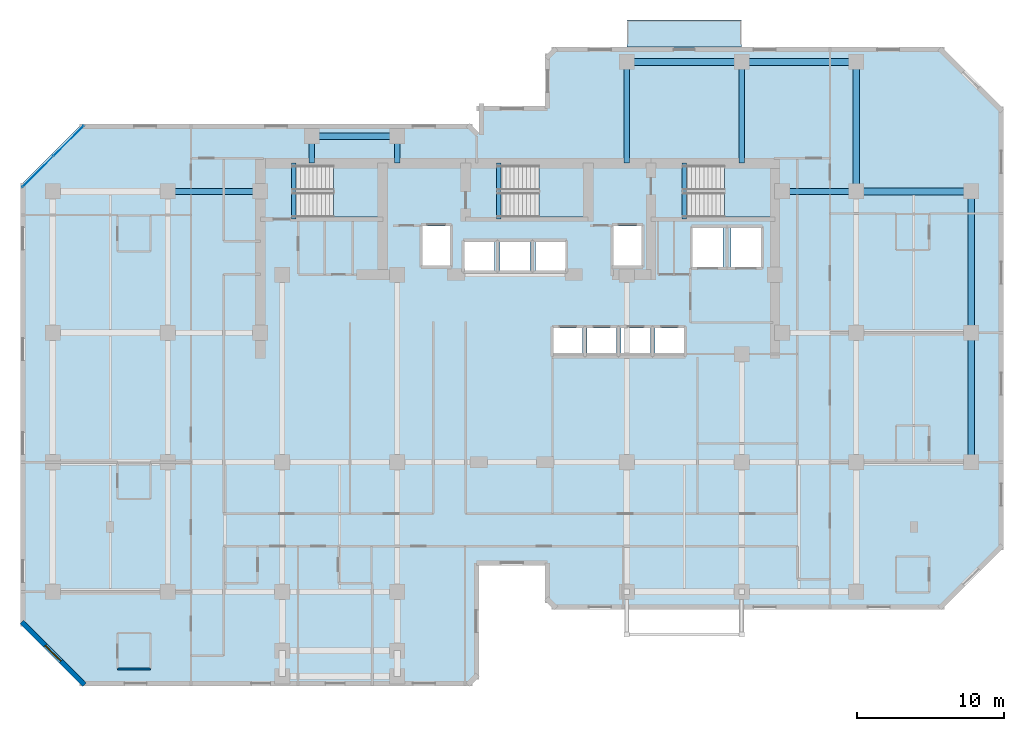
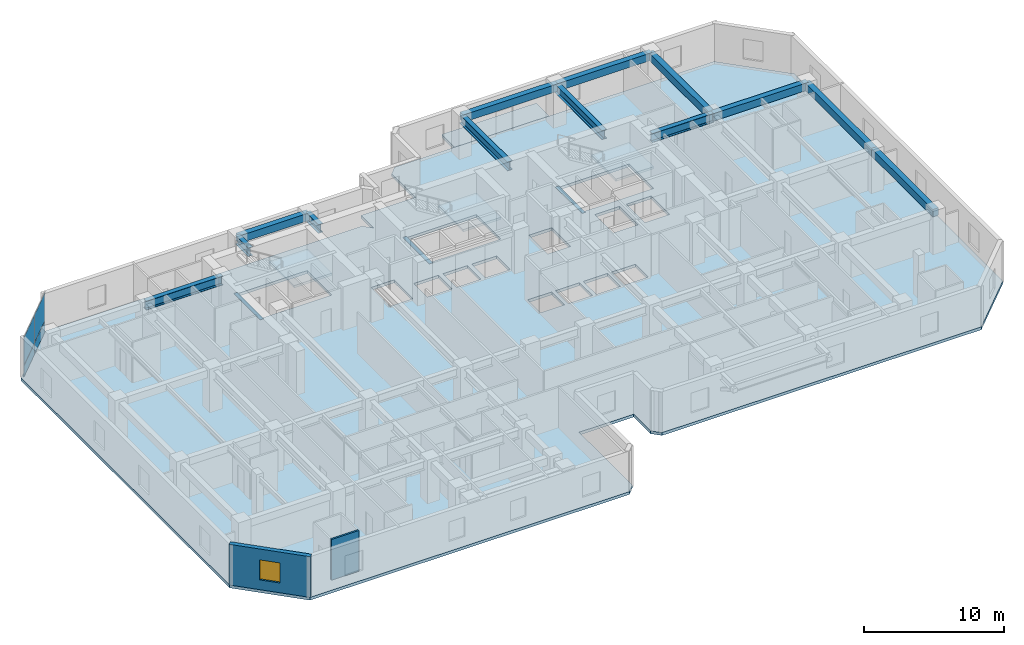
# One storey, part 4 of 10: 16 beams, 5 slabs, 4 plates, 2 walls, 1 window, 1 opening, 4 elements without a shape of their own.
"""IFC4 building model written with IfcOpenShell, lengths in metres."""

import ifcopenshell
import ifcopenshell.guid

model = None  # the IFC model being written
_history = None  # IfcOwnerHistory: only IFC2X3 demands one
_inside = {}  # id of a spatial element -> (the spatial element, [elements in it])
_under = {}  # id of a project, library or spatial element -> (it, [spatial elements below it])
_declared = {}  # id of a project -> (the project, [libraries it declares])
_typed = {}  # id of a type object -> (the type object, [elements of that type])
_made_of = {}  # id of a material, layer set ... -> (it, [elements and type objects made of it])


def new_model(schema):
    """Start an empty IFC model of exactly this schema.

    Asked for "IFC4X3", IfcOpenShell would pick the latest addendum, in which some entities
    have other attributes; the version numbers below select the first issue.
    IFC2X3 requires an IfcOwnerHistory on every rooted entity: one is made here for all.
    """
    global model, _history
    if schema == "IFC4X3":
        model = ifcopenshell.file(schema_version=(4, 3, 0, 0))
    else:
        model = ifcopenshell.file(schema=schema)
    _inside.clear()
    _under.clear()
    _declared.clear()
    _typed.clear()
    _made_of.clear()
    _history = None
    if model.schema == "IFC2X3":
        org = make("IfcOrganization", Name="unknown")
        user = make(
            "IfcPersonAndOrganization",
            ThePerson=make("IfcPerson", FamilyName="unknown"),
            TheOrganization=org,
        )
        app = make(
            "IfcApplication",
            ApplicationDeveloper=org,
            Version="unknown",
            ApplicationFullName="unknown",
            ApplicationIdentifier="unknown",
        )
        _history = make(
            "IfcOwnerHistory",
            OwningUser=user,
            OwningApplication=app,
            ChangeAction="ADDED",
            CreationDate=0,
        )
    return model


def make(cls, **values):
    """One entity of the class cls with the attributes given. An attribute that is None is left unset."""
    return model.create_entity(
        cls, **{name: value for name, value in values.items() if value is not None}
    )


def rooted(cls, **values):
    """An entity with a GlobalId (a new one), such as an element, a storey or a relation."""
    return make(cls, GlobalId=ifcopenshell.guid.new(), OwnerHistory=_history, **values)


def si_unit(unit_type, name, prefix=None):
    """IfcSIUnit, for example si_unit("LENGTHUNIT", "METRE", prefix="MILLI")."""
    return make("IfcSIUnit", UnitType=unit_type, Prefix=prefix, Name=name)


def assignment(units):
    """IfcUnitAssignment: the units of a project."""
    return None if units is None else make("IfcUnitAssignment", Units=units)


def point(xyz):
    """IfcCartesianPoint."""
    return None if xyz is None else make("IfcCartesianPoint", Coordinates=xyz)


def direction(xyz):
    """IfcDirection."""
    return None if xyz is None else make("IfcDirection", DirectionRatios=xyz)


def frame(location, z_axis=None, x_axis=None):
    """IfcAxis2Placement3D, a coordinate frame: its origin and axes. An axis left out is left unset."""
    return make(
        "IfcAxis2Placement3D",
        Location=point(location),
        Axis=direction(z_axis),
        RefDirection=direction(x_axis),
    )


def frame_2d(location, x_axis=None):
    """IfcAxis2Placement2D, a coordinate frame in the plane: its origin and x axis."""
    return make(
        "IfcAxis2Placement2D", Location=point(location), RefDirection=direction(x_axis)
    )


def origin():
    """The frame at (0, 0, 0) with its axes left unset."""
    return frame((0.0, 0.0, 0.0))


def origin_2d():
    """The frame at (0, 0) in the plane with its x axis left unset."""
    return frame_2d((0.0, 0.0))


def place(relative_to, where):
    """IfcLocalPlacement: puts the frame where relative to a parent placement (None: the world)."""
    return make(
        "IfcLocalPlacement", PlacementRelTo=relative_to, RelativePlacement=where
    )


def context(
    kind, dimensions, precision=None, world=None, true_north=None, identifier=None
):
    """IfcGeometricRepresentationContext, for example the 3D "Model" context."""
    return make(
        "IfcGeometricRepresentationContext",
        ContextIdentifier=identifier,
        ContextType=kind,
        CoordinateSpaceDimension=dimensions,
        Precision=precision,
        WorldCoordinateSystem=world,
        TrueNorth=true_north,
    )


def subcontext(parent, identifier, kind, view, scale=None):
    """IfcGeometricRepresentationSubContext, for example "Body" below "Model"."""
    return make(
        "IfcGeometricRepresentationSubContext",
        ContextIdentifier=identifier,
        ContextType=kind,
        ParentContext=parent,
        TargetScale=scale,
        TargetView=view,
    )


def project(units=None, contexts=None):
    """IfcProject with its units and contexts."""
    return rooted(
        "IfcProject",
        Name="project",
        RepresentationContexts=contexts,
        UnitsInContext=assignment(units),
    )


def spatial(cls, under=None, at=None, **own):
    """A site, building, storey or space (cls), placed at a placement, below another one or the project."""
    s = rooted(cls, ObjectPlacement=at, **own)
    if under is not None:
        _under.setdefault(under.id(), (under, []))[1].append(s)
    return s


def polyline(points):
    """IfcPolyline through the points."""
    return make("IfcPolyline", Points=[point(p) for p in points])


def profile(cls, at=None, kind="AREA", **sizes):
    """A parametric profile (cls). Its sizes go by their IFC names, for example OverallWidth=200.0."""
    return make(cls, ProfileType=kind, Position=at, **sizes)


def rectangle(**sizes):
    """IfcRectangleProfileDef."""
    return profile("IfcRectangleProfileDef", **sizes)


def i_section(**sizes):
    """IfcIShapeProfileDef."""
    return profile("IfcIShapeProfileDef", **sizes)


def outline(outer, holes=None, kind="AREA"):
    """IfcArbitraryClosedProfileDef: a profile drawn as a closed curve; with holes, ...WithVoids."""
    if holes is None:
        return make("IfcArbitraryClosedProfileDef", ProfileType=kind, OuterCurve=outer)
    return make(
        "IfcArbitraryProfileDefWithVoids",
        ProfileType=kind,
        OuterCurve=outer,
        InnerCurves=holes,
    )


def extrude(swept, where, along, depth):
    """IfcExtrudedAreaSolid: the profile swept, set in the frame where, extruded along a direction by depth."""
    return make(
        "IfcExtrudedAreaSolid",
        SweptArea=swept,
        Position=where,
        ExtrudedDirection=direction(along),
        Depth=depth,
    )


def shape(context_of_items, identifier, shape_type, items):
    """IfcShapeRepresentation: the items that make up one representation, for example the "Body"."""
    return make(
        "IfcShapeRepresentation",
        ContextOfItems=context_of_items,
        RepresentationIdentifier=identifier,
        RepresentationType=shape_type,
        Items=items,
    )


def material(Name=None, Category=None):
    """IfcMaterial."""
    return make("IfcMaterial", Name=Name, Category=Category)


def layer(
    of_material, thickness, ventilated=None, Name=None, Category=None, Priority=None
):
    """IfcMaterialLayer: one layer of a wall or slab, of a material (None: an air gap)."""
    return make(
        "IfcMaterialLayer",
        Material=of_material,
        LayerThickness=thickness,
        IsVentilated=ventilated,
        Name=Name,
        Category=Category,
        Priority=Priority,
    )


def layer_set(layers, Name=None):
    """IfcMaterialLayerSet."""
    return make("IfcMaterialLayerSet", MaterialLayers=layers, LayerSetName=Name)


def material_profile(
    of_material, cross_section, Name=None, Category=None, Priority=None
):
    """IfcMaterialProfile: a cross section and its material."""
    return make(
        "IfcMaterialProfile",
        Name=Name,
        Material=of_material,
        Profile=cross_section,
        Priority=Priority,
        Category=Category,
    )


def profile_set(profiles, Name=None, composite=None):
    """IfcMaterialProfileSet."""
    return make(
        "IfcMaterialProfileSet",
        Name=Name,
        MaterialProfiles=profiles,
        CompositeProfile=composite,
    )


def made_of(thing, what):
    """Note that an element or type object is made of a material, layer set ...; save() writes the relation."""
    if what is not None:
        _made_of.setdefault(what.id(), (what, []))[1].append(thing)
    return thing


def type_object(cls, material=None, **own):
    """A type object (cls), such as IfcWallType, which elements share."""
    return made_of(rooted(cls, **own), material)


def element(
    cls,
    number,
    at=None,
    inside=None,
    cuts=None,
    type_object=None,
    material=None,
    context=None,
    identifier="Body",
    shape_type=None,
    held_by="IfcProductDefinitionShape",
    body=None,
    shapes=None,
    **own,
):
    """One element of the class cls, such as IfcWall. Its Tag is "e" and its number.

    at: its placement. inside: the storey or other place that contains it. cuts: it is an
    opening in that element (IfcRelVoidsElement). A single representation is given by context,
    identifier, shape_type and body (its items); several are given by shapes. held_by: the class
    of the entity that holds the representations. save() writes the other relations.
    """
    e = rooted(cls, Tag="e%d" % number, ObjectPlacement=at, **own)
    if body is not None:
        shapes = [shape(context, identifier, shape_type, body)]
    if shapes is not None:
        e.Representation = make(held_by, Representations=shapes)
    if inside is not None:
        _inside.setdefault(inside.id(), (inside, []))[1].append(e)
    if cuts is not None:
        rooted(
            "IfcRelVoidsElement", RelatingBuildingElement=cuts, RelatedOpeningElement=e
        )
    if type_object is not None:
        _typed.setdefault(type_object.id(), (type_object, []))[1].append(e)
    return made_of(e, material)


def fill(opening, filler):
    """IfcRelFillsElement: the door or window that sits in an opening."""
    return rooted(
        "IfcRelFillsElement",
        RelatingOpeningElement=opening,
        RelatedBuildingElement=filler,
    )


def aggregate(whole, parts):
    """IfcRelAggregates: a whole, such as a stair, and the parts it consists of."""
    return rooted("IfcRelAggregates", RelatingObject=whole, RelatedObjects=parts)


def save(model, path):
    """Write the relations noted so far, then the file.

    IfcRelAggregates (storeys below a building ...), IfcRelContainedInSpatialStructure (elements
    in a storey), IfcRelDefinesByType, IfcRelAssociatesMaterial and IfcRelDeclares: one each for
    every whole, place, type object, material and project.
    """
    for whole, parts in _under.values():
        aggregate(whole, parts)
    for where, things in _inside.values():
        rooted(
            "IfcRelContainedInSpatialStructure",
            RelatedElements=things,
            RelatingStructure=where,
        )
    for kind, things in _typed.values():
        rooted("IfcRelDefinesByType", RelatedObjects=things, RelatingType=kind)
    for what, things in _made_of.values():
        rooted("IfcRelAssociatesMaterial", RelatedObjects=things, RelatingMaterial=what)
    for by, libraries in _declared.values():
        rooted("IfcRelDeclares", RelatingContext=by, RelatedDefinitions=libraries)
    model.write(path)


model = new_model("IFC4")

# Units and contexts
model_context = context("Model", 3, precision=1e-05, world=origin(), true_north=direction((0.0, 1.0)))
body_context = subcontext(model_context, "Body", "Model", "MODEL_VIEW")
ifc_project = project(units=[si_unit("LENGTHUNIT", "METRE"), si_unit("AREAUNIT", "SQUARE_METRE"), si_unit("VOLUMEUNIT", "CUBIC_METRE"), si_unit("PLANEANGLEUNIT", "RADIAN"), si_unit("MASSUNIT", "GRAM", prefix="KILO")], contexts=[model_context])

# Site, building, storey
site_placement = place(None, origin())
site = spatial("IfcSite", under=ifc_project, at=site_placement, CompositionType="ELEMENT")
building_placement = place(site_placement, origin())
building = spatial("IfcBuilding", under=site, at=building_placement, Name="Kestravale Grand Hotel", CompositionType="ELEMENT")
storey_placement = place(building_placement, frame((0.0, 0.0, 153.60009765625)))
storey = spatial("IfcBuildingStorey", under=building, at=storey_placement, Name="L38", CompositionType="ELEMENT", Elevation=153.60009765625)

# Beams
ifc_material_1 = material(Name="Concrete f'c 45 MPa", Category="concrete")
ifc_material_profile_1 = material_profile(ifc_material_1, rectangle(XDim=0.300048828125, YDim=0.39990234375, at=origin_2d()))
ifc_profile_set_1 = profile_set([ifc_material_profile_1], Name="Concrete f'c 45 MPa")
beam_type_1 = type_object("IfcBeamType", Name="B-FLR-LNT400", PredefinedType="LINTEL", material=ifc_profile_set_1)
for number, where, z_axis, x_axis, name in (
    (1, (24.159912109375, 36.52001953125, -0.2001953125), (0.0, 1.0, 0.0), (-1.0, 0.0, 0.0), "L38 ST1 flight bottom header beam"),
    (2, (38.110107421875, 36.52001953125, -0.2001953125), (0.0, 1.0, 0.0), (-1.0, 0.0, 0.0), "L38 ST2 flight bottom header beam"),
    (3, (50.7099609375, 36.52001953125, -0.2001953125), (0.0, 1.0, 0.0), (-1.0, 0.0, 0.0), "L38 ST3 flight bottom header beam"),
):
    element("IfcBeam", number, at=place(storey_placement, frame(where, z_axis=z_axis, x_axis=x_axis)), inside=storey, type_object=beam_type_1, Name=name, PredefinedType="LINTEL", context=body_context, shape_type="SweptSolid", body=[
        extrude(rectangle(XDim=0.300048828125, YDim=0.39990234375, at=origin_2d()), origin(), (0.0, 0.0, 1.0), 3.800048828125),
    ])
ifc_material_2 = material(Name="Concrete f'c 45 MPa", Category="concrete")
ifc_material_profile_2 = material_profile(ifc_material_2, rectangle(XDim=0.449951171875, YDim=0.64990234375, at=origin_2d()))
ifc_profile_set_2 = profile_set([ifc_material_profile_2], Name="Concrete f'c 45 MPa")
beam_type_2 = type_object("IfcBeamType", Name="B-FLR-RC650", PredefinedType="SPANDREL", material=ifc_profile_set_2)
for number, where, z_axis, x_axis, name in (
    (4, (62.39990234375, 38.39990234375, 3.224853515625), (1.0, 0.0, 0.0), (0.0, 1.0, 0.0), "L38 spandrel F:10-11"),
    (5, (46.800048828125, 47.199951171875, 3.224853515625), (1.0, 0.0, 0.0), (0.0, 1.0, 0.0), "L38 spandrel G:8-9"),
):
    element("IfcBeam", number, at=place(storey_placement, frame(where, z_axis=z_axis, x_axis=x_axis)), inside=storey, type_object=beam_type_2, Name=name, PredefinedType="SPANDREL", context=body_context, shape_type="SweptSolid", body=[
        extrude(rectangle(XDim=0.449951171875, YDim=0.64990234375, at=origin_2d()), origin(), (0.0, 0.0, 1.0), 7.800048828125),
    ])
beam_1_placement = place(storey_placement, frame((54.60009765625, 47.199951171875, 3.224853515625), z_axis=(1.0, 0.0, 0.0), x_axis=(0.0, 1.0, 0.0)))
element("IfcBeam", 6, at=beam_1_placement, inside=storey, type_object=beam_type_2, Name="L38 spandrel G:9-10", PredefinedType="SPANDREL", context=body_context, shape_type="SweptSolid", body=[
    extrude(rectangle(XDim=0.449951171875, YDim=0.64990234375, at=origin_2d()), origin(), (0.0, 0.0, 1.0), 7.7998046875),
])
beam_2_placement = place(storey_placement, frame((25.39990234375, 42.14990234375, 3.224853515625), z_axis=(1.0, 0.0, 0.0), x_axis=(0.0, 1.0, 0.0)))
element("IfcBeam", 7, at=beam_2_placement, inside=storey, type_object=beam_type_2, Name="L38 perimeter tie spandrel FN:4-5", PredefinedType="SPANDREL", context=body_context, shape_type="SweptSolid", body=[
    extrude(rectangle(XDim=0.449951171875, YDim=0.64990234375, at=origin_2d()), origin(), (0.0, 0.0, 1.0), 5.800048828125),
])
for number, where, z_axis, x_axis, name in (
    (8, (62.39990234375, 38.39990234375, 3.224853515625), (0.0, 1.0, 0.0), (-1.0, 0.0, 0.0), "L38 spandrel 10:F-G"),
    (9, (70.199951171875, 20.0, 3.224853515625), (0.0, 1.0, 0.0), (-1.0, 0.0, 0.0), "L38 spandrel 11:D-E"),
):
    element("IfcBeam", number, at=place(storey_placement, frame(where, z_axis=z_axis, x_axis=x_axis)), inside=storey, type_object=beam_type_2, Name=name, PredefinedType="SPANDREL", context=body_context, shape_type="SweptSolid", body=[
        extrude(rectangle(XDim=0.449951171875, YDim=0.64990234375, at=origin_2d()), origin(), (0.0, 0.0, 1.0), 8.800048828125),
    ])
beam_3_placement = place(storey_placement, frame((70.199951171875, 28.800048828125, 3.224853515625), z_axis=(0.0, 1.0, 0.0), x_axis=(-1.0, 0.0, 0.0)))
element("IfcBeam", 10, at=beam_3_placement, inside=storey, type_object=beam_type_2, Name="L38 spandrel 11:E-F", PredefinedType="SPANDREL", context=body_context, shape_type="SweptSolid", body=[
    extrude(rectangle(XDim=0.449951171875, YDim=0.64990234375, at=origin_2d()), origin(), (0.0, 0.0, 1.0), 9.599853515625),
])
ifc_material_3 = material(Name="Steel ASTM A992 Grade 50", Category="steel")
ifc_material_profile_3 = material_profile(ifc_material_3, i_section(OverallWidth=0.381103515625, OverallDepth=0.77197265625, WebThickness=0.0166015625, FlangeThickness=0.027099609375, FilletRadius=0.023681640625, at=origin_2d()))
ifc_profile_set_3 = profile_set([ifc_material_profile_3], Name="Steel ASTM A992 Grade 50")
beam_type_3 = type_object("IfcBeamType", Name="B-GRD-W30", PredefinedType="BEAM", material=ifc_profile_set_3)
beam_4_placement = place(storey_placement, frame((15.60009765625, 38.39990234375, 3.163818359375), z_axis=(1.0, 0.0, 0.0), x_axis=(0.0, 1.0, 0.0)))
element("IfcBeam", 11, at=beam_4_placement, inside=storey, type_object=beam_type_3, Name="L38 girder F:3-CW", PredefinedType="BEAM", context=body_context, shape_type="SweptSolid", body=[
    extrude(i_section(OverallWidth=0.381103515625, OverallDepth=0.77197265625, WebThickness=0.0166015625, FlangeThickness=0.027099609375, FilletRadius=0.023681640625, at=origin_2d()), origin(), (0.0, 0.0, 1.0), 6.2998046875),
])
beam_5_placement = place(storey_placement, frame((57.35009765625, 38.39990234375, 3.163818359375), z_axis=(1.0, 0.0, 0.0), x_axis=(0.0, 1.0, 0.0)))
element("IfcBeam", 12, at=beam_5_placement, inside=storey, type_object=beam_type_3, Name="L38 girder F:CE-10", PredefinedType="BEAM", context=body_context, shape_type="SweptSolid", body=[
    extrude(i_section(OverallWidth=0.381103515625, OverallDepth=0.77197265625, WebThickness=0.0166015625, FlangeThickness=0.027099609375, FilletRadius=0.023681640625, at=origin_2d()), origin(), (0.0, 0.0, 1.0), 5.0498046875),
])
for number, where, z_axis, x_axis, name in (
    (13, (25.39990234375, 40.320068359375, 3.163818359375), (0.0, 1.0, 0.0), (-1.0, 0.0, 0.0), "L38 north wing tie girder 4:CN-FN"),
    (14, (31.199951171875, 40.320068359375, 3.163818359375), (0.0, 1.0, 0.0), (-1.0, 0.0, 0.0), "L38 north wing tie girder 5:CN-FN"),
):
    element("IfcBeam", number, at=place(storey_placement, frame(where, z_axis=z_axis, x_axis=x_axis)), inside=storey, type_object=beam_type_3, Name=name, PredefinedType="BEAM", context=body_context, shape_type="SweptSolid", body=[
        extrude(i_section(OverallWidth=0.381103515625, OverallDepth=0.77197265625, WebThickness=0.0166015625, FlangeThickness=0.027099609375, FilletRadius=0.023681640625, at=origin_2d()), origin(), (0.0, 0.0, 1.0), 1.829833984375),
    ])
for number, where, z_axis, x_axis, name in (
    (15, (46.800048828125, 40.320068359375, 3.163818359375), (0.0, 1.0, 0.0), (-1.0, 0.0, 0.0), "L38 north wing tie girder 8:CN-G"),
    (16, (54.60009765625, 40.320068359375, 3.163818359375), (0.0, 1.0, 0.0), (-1.0, 0.0, 0.0), "L38 north wing tie girder 9:CN-G"),
):
    element("IfcBeam", number, at=place(storey_placement, frame(where, z_axis=z_axis, x_axis=x_axis)), inside=storey, type_object=beam_type_3, Name=name, PredefinedType="BEAM", context=body_context, shape_type="SweptSolid", body=[
        extrude(i_section(OverallWidth=0.381103515625, OverallDepth=0.77197265625, WebThickness=0.0166015625, FlangeThickness=0.027099609375, FilletRadius=0.023681640625, at=origin_2d()), origin(), (0.0, 0.0, 1.0), 6.8798828125),
    ])

# Curtain wall, plates
ifc_material_4 = material(Name="Thermally broken champagne-bronze aluminium and low-E glazing", Category="aluminium")
ifc_layer_1 = layer(ifc_material_4, 0.179931640625)
ifc_layer_set_1 = layer_set([ifc_layer_1], Name="CW-Z3")
curtain_wall_type = type_object("IfcCurtainWallType", Name="CW-Z3", PredefinedType="NOTDEFINED", material=ifc_layer_set_1)
curtain_wall_placement = place(storey_placement, origin())
curtain_wall = element("IfcCurtainWall", 17, at=curtain_wall_placement, inside=storey, type_object=curtain_wall_type, Name="L38 unitised curtain wall 18", PredefinedType="NOTDEFINED")
ifc_material_5 = material(Name="Insulated clear low-E double glazing IGU", Category="glass")
ifc_layer_2 = layer(ifc_material_5, 0.031982421875)
ifc_layer_set_2 = layer_set([ifc_layer_2], Name="CW-PNL-32")
plate_type = type_object("IfcPlateType", Name="CW-PNL-32", PredefinedType="CURTAIN_PANEL", material=ifc_layer_set_2)
plate_1_placement = place(storey_placement, frame((8.86572265625, 41.825439453125, 0.06494140625), z_axis=(0.0, 0.0, 1.0), x_axis=(-0.707106781187, -0.707106781187, 0.0)))
plate_1 = element("IfcPlate", 18, at=plate_1_placement, type_object=plate_type, Name="CW-Z3 panel 1.1", PredefinedType="CURTAIN_PANEL", context=body_context, shape_type="SweptSolid", body=[
    extrude(rectangle(XDim=2.892333984375, YDim=0.031982421875, at=origin_2d()), origin(), (0.0, 0.0, 1.0), 0.952392578125),
])
plate_2_placement = place(storey_placement, frame((8.86572265625, 41.825439453125, 1.08251953125), z_axis=(0.0, 0.0, 1.0), x_axis=(-0.707106781187, -0.707106781187, 0.0)))
plate_2 = element("IfcPlate", 19, at=plate_2_placement, type_object=plate_type, Name="CW-Z3 panel 1.2", PredefinedType="CURTAIN_PANEL", context=body_context, shape_type="SweptSolid", body=[
    extrude(rectangle(XDim=2.892333984375, YDim=0.031982421875, at=origin_2d()), origin(), (0.0, 0.0, 1.0), 2.402587890625),
])
plate_3_placement = place(storey_placement, frame((6.774658203125, 39.734130859375, 0.06494140625), z_axis=(0.0, 0.0, 1.0), x_axis=(-0.707106781187, -0.707106781187, 0.0)))
plate_3 = element("IfcPlate", 20, at=plate_3_placement, type_object=plate_type, Name="CW-Z3 panel 2.1", PredefinedType="CURTAIN_PANEL", context=body_context, shape_type="SweptSolid", body=[
    extrude(rectangle(XDim=2.892333984375, YDim=0.031982421875, at=origin_2d()), origin(), (0.0, 0.0, 1.0), 0.952392578125),
])
plate_4_placement = place(storey_placement, frame((6.774658203125, 39.734130859375, 1.08251953125), z_axis=(0.0, 0.0, 1.0), x_axis=(-0.707106781187, -0.707106781187, 0.0)))
plate_4 = element("IfcPlate", 21, at=plate_4_placement, type_object=plate_type, Name="CW-Z3 panel 2.2", PredefinedType="CURTAIN_PANEL", context=body_context, shape_type="SweptSolid", body=[
    extrude(rectangle(XDim=2.892333984375, YDim=0.031982421875, at=origin_2d()), origin(), (0.0, 0.0, 1.0), 2.402587890625),
])
aggregate(curtain_wall, [plate_1, plate_2, plate_3, plate_4])

# Slab
ifc_material_6 = material(Name="Concrete f'c 45 MPa", Category="concrete")
ifc_layer_3 = layer(ifc_material_6, 0.27001953125)
ifc_layer_set_3 = layer_set([ifc_layer_3], Name="ES-TERR-270")
slab_type_1 = type_object("IfcSlabType", Name="ES-TERR-270", PredefinedType="FLOOR", material=ifc_layer_set_3)
slab_1_placement = place(storey_placement, frame((0.0, 0.0, -0.27001953125)))
element("IfcSlab", 22, at=slab_1_placement, inside=storey, type_object=slab_type_1, Name="L38 spiralling planted garden terrace", PredefinedType="FLOOR", context=body_context, shape_type="SweptSolid", body=[
    extrude(outline(polyline([(46.800048828125, 48.199951171875), (54.60009765625, 48.199951171875), (54.60009765625, 50.050048828125), (46.800048828125, 50.050048828125), (46.800048828125, 48.199951171875)])), origin(), (0.0, 0.0, 1.0), 0.27001953125),
])

# Stair, slab
ifc_material_7 = material(Name="Concrete f'c 45 MPa", Category="concrete")
stair_type = type_object("IfcStairType", Name="ST-CORE-380", PredefinedType="HALF_TURN_STAIR", material=ifc_material_7)
stair_1_placement = place(storey_placement, origin())
stair_1 = element("IfcStair", 23, at=stair_1_placement, inside=storey, type_object=stair_type, Name="L38 ST-1", PredefinedType="HALF_TURN_STAIR")
ifc_material_8 = material(Name="Concrete f'c 45 MPa", Category="concrete")
ifc_layer_4 = layer(ifc_material_8, 0.199951171875)
ifc_layer_set_4 = layer_set([ifc_layer_4], Name="SLB-ST-LND200")
slab_type_2 = type_object("IfcSlabType", Name="SLB-ST-LND200", PredefinedType="LANDING", material=ifc_layer_set_4)
slab_2_placement = place(storey_placement, frame((0.0, 0.0, 1.699951171875)))
slab_2 = element("IfcSlab", 24, at=slab_2_placement, type_object=slab_type_2, Name="ST-1 landing 1", PredefinedType="LANDING", context=body_context, shape_type="SweptSolid", body=[
    extrude(outline(polyline([(26.8798828125, 36.64990234375), (30.0, 36.64990234375), (30.0, 40.159912109375), (26.8798828125, 40.159912109375), (26.8798828125, 36.64990234375)])), origin(), (0.0, 0.0, 1.0), 0.199951171875),
])
aggregate(stair_1, [slab_2])

stair_2_placement = place(storey_placement, origin())
stair_2 = element("IfcStair", 25, at=stair_2_placement, inside=storey, type_object=stair_type, Name="L38 ST-2", PredefinedType="HALF_TURN_STAIR")
slab_3_placement = place(storey_placement, frame((0.0, 0.0, 1.699951171875)))
slab_3 = element("IfcSlab", 26, at=slab_3_placement, type_object=slab_type_2, Name="ST-2 landing 1", PredefinedType="LANDING", context=body_context, shape_type="SweptSolid", body=[
    extrude(outline(polyline([(40.830078125, 36.64990234375), (43.949951171875, 36.64990234375), (43.949951171875, 40.159912109375), (40.830078125, 40.159912109375), (40.830078125, 36.64990234375)])), origin(), (0.0, 0.0, 1.0), 0.199951171875),
])
aggregate(stair_2, [slab_3])

stair_3_placement = place(storey_placement, origin())
stair_3 = element("IfcStair", 27, at=stair_3_placement, inside=storey, type_object=stair_type, Name="L38 ST-3", PredefinedType="HALF_TURN_STAIR")
slab_4_placement = place(storey_placement, frame((0.0, 0.0, 1.699951171875)))
slab_4 = element("IfcSlab", 28, at=slab_4_placement, type_object=slab_type_2, Name="ST-3 landing 1", PredefinedType="LANDING", context=body_context, shape_type="SweptSolid", body=[
    extrude(outline(polyline([(53.429931640625, 36.64990234375), (56.550048828125, 36.64990234375), (56.550048828125, 40.159912109375), (53.429931640625, 40.159912109375), (53.429931640625, 36.64990234375)])), origin(), (0.0, 0.0, 1.0), 0.199951171875),
])
aggregate(stair_3, [slab_4])

# Slab
ifc_material_9 = material(Name="Concrete f'c 45 MPa", Category="concrete")
ifc_layer_5 = layer(ifc_material_9, 0.25)
ifc_layer_set_5 = layer_set([ifc_layer_5], Name="SS-FLR-250")
slab_type_3 = type_object("IfcSlabType", Name="SS-FLR-250", PredefinedType="FLOOR", material=ifc_layer_set_5)
slab_5_placement = place(storey_placement, frame((0.0, 0.0, -0.25)))
element("IfcSlab", 29, at=slab_5_placement, inside=storey, type_object=slab_type_3, Name="L38 structural floor slab", PredefinedType="FLOOR", context=body_context, shape_type="SweptSolid", body=[
    extrude(outline(polyline([(9.800048828125, 4.800048828125), (36.14990234375, 4.800048828125), (36.75, 5.39990234375), (36.75, 13.0), (41.25, 13.0), (41.25, 10.60009765625), (41.85009765625, 10.0), (68.199951171875, 10.0), (72.39990234375, 14.199951171875), (72.39990234375, 44.0), (68.199951171875, 48.199951171875), (41.85009765625, 48.199951171875), (41.25, 47.60009765625), (41.25, 44.199951171875), (36.75, 44.199951171875), (36.75, 42.39990234375), (36.14990234375, 43.0), (9.800048828125, 43.0), (5.60009765625, 38.800048828125), (5.60009765625, 9.0), (9.800048828125, 4.800048828125)]), holes=[polyline([(24.080078125, 36.64990234375), (30.0, 36.64990234375), (30.0, 40.159912109375), (24.080078125, 40.159912109375), (24.080078125, 36.64990234375)]), polyline([(38.030029296875, 36.64990234375), (43.949951171875, 36.64990234375), (43.949951171875, 40.159912109375), (38.030029296875, 40.159912109375), (38.030029296875, 36.64990234375)]), polyline([(50.6298828125, 36.64990234375), (56.550048828125, 36.64990234375), (56.550048828125, 40.159912109375), (50.6298828125, 40.159912109375), (50.6298828125, 36.64990234375)]), polyline([(41.804931640625, 27.280029296875), (43.794921875, 27.280029296875), (43.794921875, 29.1201171875), (41.804931640625, 29.1201171875), (41.804931640625, 27.280029296875)]), polyline([(44.10498046875, 27.280029296875), (46.094970703125, 27.280029296875), (46.094970703125, 29.1201171875), (44.10498046875, 29.1201171875), (44.10498046875, 27.280029296875)]), polyline([(46.405029296875, 27.280029296875), (48.39501953125, 27.280029296875), (48.39501953125, 29.1201171875), (46.405029296875, 29.1201171875), (46.405029296875, 27.280029296875)]), polyline([(48.705078125, 27.280029296875), (50.695068359375, 27.280029296875), (50.695068359375, 29.1201171875), (48.705078125, 29.1201171875), (48.705078125, 27.280029296875)]), polyline([(35.780029296875, 33.030029296875), (37.820068359375, 33.030029296875), (37.820068359375, 34.969970703125), (35.780029296875, 34.969970703125), (35.780029296875, 33.030029296875)]), polyline([(38.179931640625, 33.030029296875), (40.219970703125, 33.030029296875), (40.219970703125, 34.969970703125), (38.179931640625, 34.969970703125), (38.179931640625, 33.030029296875)]), polyline([(40.580078125, 33.030029296875), (42.6201171875, 33.030029296875), (42.6201171875, 34.969970703125), (40.580078125, 34.969970703125), (40.580078125, 33.030029296875)]), polyline([(32.905029296875, 33.35498046875), (34.794921875, 33.35498046875), (34.794921875, 36.044921875), (32.905029296875, 36.044921875), (32.905029296875, 33.35498046875)]), polyline([(45.905029296875, 33.35498046875), (47.794921875, 33.35498046875), (47.794921875, 36.044921875), (45.905029296875, 36.044921875), (45.905029296875, 33.35498046875)]), polyline([(51.280029296875, 33.280029296875), (53.320068359375, 33.280029296875), (53.320068359375, 35.919921875), (51.280029296875, 35.919921875), (51.280029296875, 33.280029296875)]), polyline([(53.8798828125, 33.280029296875), (55.919921875, 33.280029296875), (55.919921875, 35.919921875), (53.8798828125, 35.919921875), (53.8798828125, 33.280029296875)])]), origin(), (0.0, 0.0, 1.0), 0.25),
])

# Wall, opening, window
ifc_material_10 = material(Name="Precast concrete f'c 45 MPa", Category="concrete")
ifc_layer_6 = layer(ifc_material_10, 0.340087890625)
ifc_layer_set_6 = layer_set([ifc_layer_6], Name="EW-PREC-340")
wall_type_1 = type_object("IfcWallType", Name="EW-PREC-340", PredefinedType="SOLIDWALL", material=ifc_layer_set_6)
wall_1_placement = place(storey_placement, frame((5.69189453125, 9.1484375, 0.0), z_axis=(0.0, 0.0, 1.0), x_axis=(0.707106781187, -0.707106781187, 0.0)))
wall_1 = element("IfcWall", 30, at=wall_1_placement, inside=storey, type_object=wall_type_1, Name="L38 fluted precast facade wall 20", PredefinedType="SOLIDWALL", context=body_context, shape_type="SweptSolid", body=[
    extrude(rectangle(XDim=6.019775390625, YDim=0.340087890625, at=frame_2d((3.009765625, 0.0))), origin(), (0.0, 0.0, 1.0), 3.5498046875),
])
opening_placement = place(wall_1_placement, frame((2.260009765625, 0.0, 0.85009765625)))
opening = element("IfcOpeningElement", 31, at=opening_placement, cuts=wall_1, Name="Opening W-GUEST-1500", PredefinedType="OPENING", context=body_context, shape_type="SweptSolid", body=[
    extrude(rectangle(XDim=1.5, YDim=1.75, at=frame_2d((0.75, 0.875))), frame((0.0, 0.179931640625, 0.0), z_axis=(0.0, -1.0, 0.0), x_axis=(1.0, 0.0, 0.0)), (0.0, 0.0, 1.0), 0.360107421875),
])
ifc_material_11 = material(Name="Insulated low-E double glazing in aluminium frame", Category="aluminium")
window_type = type_object("IfcWindowType", Name="W-GUEST-1500", PartitioningType="SINGLE_PANEL", PredefinedType="WINDOW", material=ifc_material_11)
window_placement = place(opening_placement, origin())
window = element("IfcWindow", 32, at=window_placement, inside=storey, type_object=window_type, Name="L38 exterior window 20.1", OverallHeight=1.75, OverallWidth=1.5, PartitioningType="SINGLE_PANEL", PredefinedType="WINDOW", context=body_context, shape_type="SweptSolid", body=[
    extrude(rectangle(XDim=1.5, YDim=1.75, at=frame_2d((0.75, 0.875))), frame((0.0, 0.030029296875, 0.0), z_axis=(0.0, -1.0, 0.0), x_axis=(1.0, 0.0, 0.0)), (0.0, 0.0, 1.0), 0.06005859375),
])
fill(opening, window)

# Wall
ifc_material_12 = material(Name="Moisture-resistant tile-backer plumbing chase wall", Category="other")
ifc_layer_7 = layer(ifc_material_12, 0.139892578125)
ifc_layer_set_7 = layer_set([ifc_layer_7], Name="IW-PLB-140")
wall_type_2 = type_object("IfcWallType", Name="IW-PLB-140", PredefinedType="PLUMBINGWALL", material=ifc_layer_set_7)
wall_2_placement = place(storey_placement, frame((12.199951171875, 5.949951171875, 0.0), z_axis=(0.0, 0.0, 1.0), x_axis=(1.0, 0.0, 0.0)))
element("IfcWall", 33, at=wall_2_placement, inside=storey, type_object=wall_type_2, Name="W-L38-U03-BS", PredefinedType="PLUMBINGWALL", context=body_context, shape_type="SweptSolid", body=[
    extrude(rectangle(XDim=2.25, YDim=0.139892578125, at=frame_2d((1.125, 0.0))), origin(), (0.0, 0.0, 1.0), 3.5498046875),
])

save(model, "model.ifc")
